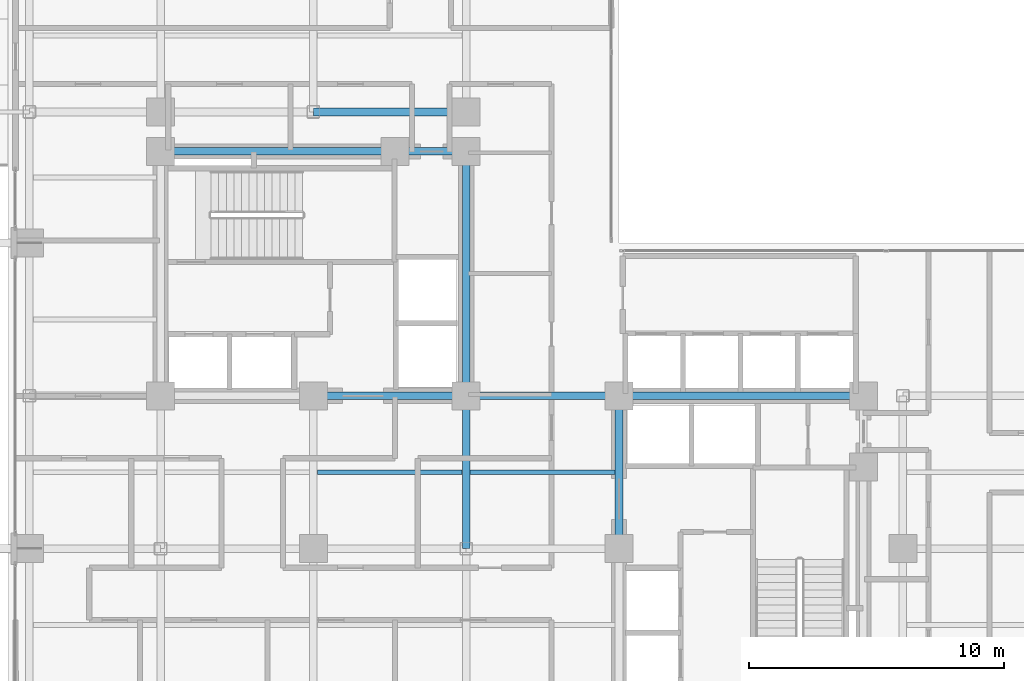
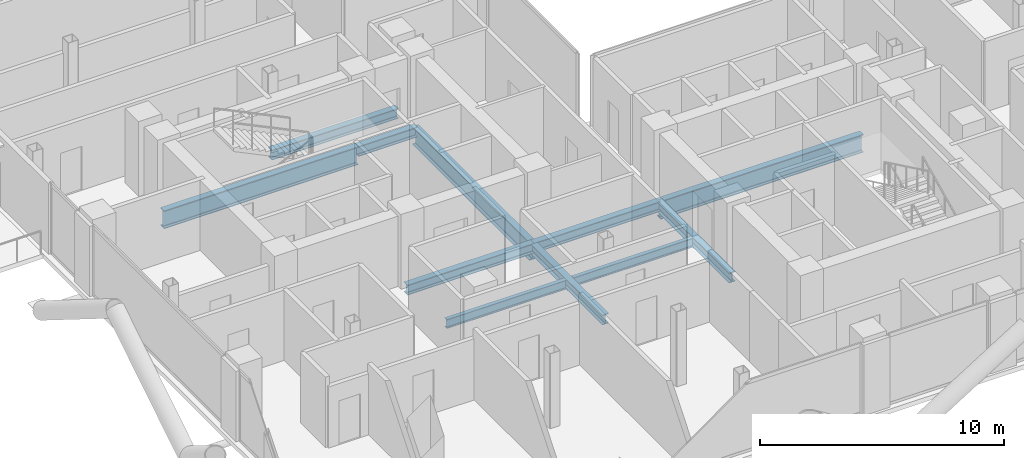
# One storey, part 8 of 28: 11 beams.
"""IFC4 building model written with IfcOpenShell, lengths in metres."""

import ifcopenshell
import ifcopenshell.guid

model = None  # the IFC model being written
_history = None  # IfcOwnerHistory: only IFC2X3 demands one
_inside = {}  # id of a spatial element -> (the spatial element, [elements in it])
_under = {}  # id of a project, library or spatial element -> (it, [spatial elements below it])
_declared = {}  # id of a project -> (the project, [libraries it declares])
_typed = {}  # id of a type object -> (the type object, [elements of that type])
_made_of = {}  # id of a material, layer set ... -> (it, [elements and type objects made of it])


def new_model(schema):
    """Start an empty IFC model of exactly this schema.

    Asked for "IFC4X3", IfcOpenShell would pick the latest addendum, in which some entities
    have other attributes; the version numbers below select the first issue.
    IFC2X3 requires an IfcOwnerHistory on every rooted entity: one is made here for all.
    """
    global model, _history
    if schema == "IFC4X3":
        model = ifcopenshell.file(schema_version=(4, 3, 0, 0))
    else:
        model = ifcopenshell.file(schema=schema)
    _inside.clear()
    _under.clear()
    _declared.clear()
    _typed.clear()
    _made_of.clear()
    _history = None
    if model.schema == "IFC2X3":
        org = make("IfcOrganization", Name="unknown")
        user = make(
            "IfcPersonAndOrganization",
            ThePerson=make("IfcPerson", FamilyName="unknown"),
            TheOrganization=org,
        )
        app = make(
            "IfcApplication",
            ApplicationDeveloper=org,
            Version="unknown",
            ApplicationFullName="unknown",
            ApplicationIdentifier="unknown",
        )
        _history = make(
            "IfcOwnerHistory",
            OwningUser=user,
            OwningApplication=app,
            ChangeAction="ADDED",
            CreationDate=0,
        )
    return model


def make(cls, **values):
    """One entity of the class cls with the attributes given. An attribute that is None is left unset."""
    return model.create_entity(
        cls, **{name: value for name, value in values.items() if value is not None}
    )


def rooted(cls, **values):
    """An entity with a GlobalId (a new one), such as an element, a storey or a relation."""
    return make(cls, GlobalId=ifcopenshell.guid.new(), OwnerHistory=_history, **values)


def si_unit(unit_type, name, prefix=None):
    """IfcSIUnit, for example si_unit("LENGTHUNIT", "METRE", prefix="MILLI")."""
    return make("IfcSIUnit", UnitType=unit_type, Prefix=prefix, Name=name)


def assignment(units):
    """IfcUnitAssignment: the units of a project."""
    return None if units is None else make("IfcUnitAssignment", Units=units)


def point(xyz):
    """IfcCartesianPoint."""
    return None if xyz is None else make("IfcCartesianPoint", Coordinates=xyz)


def direction(xyz):
    """IfcDirection."""
    return None if xyz is None else make("IfcDirection", DirectionRatios=xyz)


def frame(location, z_axis=None, x_axis=None):
    """IfcAxis2Placement3D, a coordinate frame: its origin and axes. An axis left out is left unset."""
    return make(
        "IfcAxis2Placement3D",
        Location=point(location),
        Axis=direction(z_axis),
        RefDirection=direction(x_axis),
    )


def frame_2d(location, x_axis=None):
    """IfcAxis2Placement2D, a coordinate frame in the plane: its origin and x axis."""
    return make(
        "IfcAxis2Placement2D", Location=point(location), RefDirection=direction(x_axis)
    )


def origin():
    """The frame at (0, 0, 0) with its axes left unset."""
    return frame((0.0, 0.0, 0.0))


def origin_2d():
    """The frame at (0, 0) in the plane with its x axis left unset."""
    return frame_2d((0.0, 0.0))


def place(relative_to, where):
    """IfcLocalPlacement: puts the frame where relative to a parent placement (None: the world)."""
    return make(
        "IfcLocalPlacement", PlacementRelTo=relative_to, RelativePlacement=where
    )


def context(
    kind, dimensions, precision=None, world=None, true_north=None, identifier=None
):
    """IfcGeometricRepresentationContext, for example the 3D "Model" context."""
    return make(
        "IfcGeometricRepresentationContext",
        ContextIdentifier=identifier,
        ContextType=kind,
        CoordinateSpaceDimension=dimensions,
        Precision=precision,
        WorldCoordinateSystem=world,
        TrueNorth=true_north,
    )


def subcontext(parent, identifier, kind, view, scale=None):
    """IfcGeometricRepresentationSubContext, for example "Body" below "Model"."""
    return make(
        "IfcGeometricRepresentationSubContext",
        ContextIdentifier=identifier,
        ContextType=kind,
        ParentContext=parent,
        TargetScale=scale,
        TargetView=view,
    )


def project(units=None, contexts=None):
    """IfcProject with its units and contexts."""
    return rooted(
        "IfcProject",
        Name="project",
        RepresentationContexts=contexts,
        UnitsInContext=assignment(units),
    )


def spatial(cls, under=None, at=None, **own):
    """A site, building, storey or space (cls), placed at a placement, below another one or the project."""
    s = rooted(cls, ObjectPlacement=at, **own)
    if under is not None:
        _under.setdefault(under.id(), (under, []))[1].append(s)
    return s


def profile(cls, at=None, kind="AREA", **sizes):
    """A parametric profile (cls). Its sizes go by their IFC names, for example OverallWidth=200.0."""
    return make(cls, ProfileType=kind, Position=at, **sizes)


def i_section(**sizes):
    """IfcIShapeProfileDef."""
    return profile("IfcIShapeProfileDef", **sizes)


def extrude(swept, where, along, depth):
    """IfcExtrudedAreaSolid: the profile swept, set in the frame where, extruded along a direction by depth."""
    return make(
        "IfcExtrudedAreaSolid",
        SweptArea=swept,
        Position=where,
        ExtrudedDirection=direction(along),
        Depth=depth,
    )


def shape(context_of_items, identifier, shape_type, items):
    """IfcShapeRepresentation: the items that make up one representation, for example the "Body"."""
    return make(
        "IfcShapeRepresentation",
        ContextOfItems=context_of_items,
        RepresentationIdentifier=identifier,
        RepresentationType=shape_type,
        Items=items,
    )


def material(Name=None, Category=None):
    """IfcMaterial."""
    return make("IfcMaterial", Name=Name, Category=Category)


def material_profile(
    of_material, cross_section, Name=None, Category=None, Priority=None
):
    """IfcMaterialProfile: a cross section and its material."""
    return make(
        "IfcMaterialProfile",
        Name=Name,
        Material=of_material,
        Profile=cross_section,
        Priority=Priority,
        Category=Category,
    )


def profile_set(profiles, Name=None, composite=None):
    """IfcMaterialProfileSet."""
    return make(
        "IfcMaterialProfileSet",
        Name=Name,
        MaterialProfiles=profiles,
        CompositeProfile=composite,
    )


def made_of(thing, what):
    """Note that an element or type object is made of a material, layer set ...; save() writes the relation."""
    if what is not None:
        _made_of.setdefault(what.id(), (what, []))[1].append(thing)
    return thing


def type_object(cls, material=None, **own):
    """A type object (cls), such as IfcWallType, which elements share."""
    return made_of(rooted(cls, **own), material)


def element(
    cls,
    number,
    at=None,
    inside=None,
    cuts=None,
    type_object=None,
    material=None,
    context=None,
    identifier="Body",
    shape_type=None,
    held_by="IfcProductDefinitionShape",
    body=None,
    shapes=None,
    **own,
):
    """One element of the class cls, such as IfcWall. Its Tag is "e" and its number.

    at: its placement. inside: the storey or other place that contains it. cuts: it is an
    opening in that element (IfcRelVoidsElement). A single representation is given by context,
    identifier, shape_type and body (its items); several are given by shapes. held_by: the class
    of the entity that holds the representations. save() writes the other relations.
    """
    e = rooted(cls, Tag="e%d" % number, ObjectPlacement=at, **own)
    if body is not None:
        shapes = [shape(context, identifier, shape_type, body)]
    if shapes is not None:
        e.Representation = make(held_by, Representations=shapes)
    if inside is not None:
        _inside.setdefault(inside.id(), (inside, []))[1].append(e)
    if cuts is not None:
        rooted(
            "IfcRelVoidsElement", RelatingBuildingElement=cuts, RelatedOpeningElement=e
        )
    if type_object is not None:
        _typed.setdefault(type_object.id(), (type_object, []))[1].append(e)
    return made_of(e, material)


def aggregate(whole, parts):
    """IfcRelAggregates: a whole, such as a stair, and the parts it consists of."""
    return rooted("IfcRelAggregates", RelatingObject=whole, RelatedObjects=parts)


def save(model, path):
    """Write the relations noted so far, then the file.

    IfcRelAggregates (storeys below a building ...), IfcRelContainedInSpatialStructure (elements
    in a storey), IfcRelDefinesByType, IfcRelAssociatesMaterial and IfcRelDeclares: one each for
    every whole, place, type object, material and project.
    """
    for whole, parts in _under.values():
        aggregate(whole, parts)
    for where, things in _inside.values():
        rooted(
            "IfcRelContainedInSpatialStructure",
            RelatedElements=things,
            RelatingStructure=where,
        )
    for kind, things in _typed.values():
        rooted("IfcRelDefinesByType", RelatedObjects=things, RelatingType=kind)
    for what, things in _made_of.values():
        rooted("IfcRelAssociatesMaterial", RelatedObjects=things, RelatingMaterial=what)
    for by, libraries in _declared.values():
        rooted("IfcRelDeclares", RelatingContext=by, RelatedDefinitions=libraries)
    model.write(path)


model = new_model("IFC4")

# Units and contexts
model_context = context("Model", 3, precision=1e-05, world=origin(), true_north=direction((0.0, 1.0)))
body_context = subcontext(model_context, "Body", "Model", "MODEL_VIEW")
ifc_project = project(units=[si_unit("LENGTHUNIT", "METRE"), si_unit("AREAUNIT", "SQUARE_METRE"), si_unit("VOLUMEUNIT", "CUBIC_METRE"), si_unit("PLANEANGLEUNIT", "RADIAN"), si_unit("MASSUNIT", "GRAM", prefix="KILO"), si_unit("THERMODYNAMICTEMPERATUREUNIT", "KELVIN"), si_unit("POWERUNIT", "WATT")], contexts=[model_context])

# Site, building, storey
site_placement = place(None, origin())
site = spatial("IfcSite", under=ifc_project, at=site_placement, CompositionType="ELEMENT")
building_placement = place(site_placement, origin())
building = spatial("IfcBuilding", under=site, at=building_placement, Name="Svarakhadi Broadcast Tower", CompositionType="ELEMENT")
storey_placement = place(building_placement, frame((0.0, 0.0, 123.14990234375)))
storey = spatial("IfcBuildingStorey", under=building, at=storey_placement, Name="L29", CompositionType="ELEMENT", Elevation=123.14990234375)

# Beams
ifc_material_1 = material(Name="Steel S355J2 (IS 2062 E350C)", Category="steel")
ifc_material_profile_1 = material_profile(ifc_material_1, i_section(OverallWidth=0.18994140625, OverallDepth=0.449951171875, WebThickness=0.009521484375, FlangeThickness=0.0146484375, FilletRadius=0.02099609375, at=origin_2d()), Name="NPB 450x190x78")
ifc_profile_set_1 = profile_set([ifc_material_profile_1], Name="Steel S355J2 (IS 2062 E350C)")
beam_type_1 = type_object("IfcBeamType", Name="Beam_NPB450", PredefinedType="BEAM", material=ifc_profile_set_1)
for number, where, z_axis, x_axis, name in (
    (1, (12.159912109375, 15.0, -0.449951171875), (1.0, 0.0, 0.0), (0.0, 1.0, 0.0), "L29 Secondary Composite Beam SB013"),
    (2, (18.159912109375, 15.0, -0.449951171875), (1.0, 0.0, 0.0), (0.0, 1.0, 0.0), "L29 Secondary Composite Beam SB018"),
):
    element("IfcBeam", number, at=place(storey_placement, frame(where, z_axis=z_axis, x_axis=x_axis)), inside=storey, type_object=beam_type_1, Name=name, PredefinedType="BEAM", context=body_context, shape_type="SweptSolid", body=[
        extrude(i_section(OverallWidth=0.18994140625, OverallDepth=0.449951171875, WebThickness=0.009521484375, FlangeThickness=0.0146484375, FilletRadius=0.02099609375, at=origin_2d()), origin(), (0.0, 0.0, 1.0), 5.68017578125),
    ])
ifc_material_profile_2 = material_profile(ifc_material_1, i_section(OverallWidth=0.300048828125, OverallDepth=0.5, WebThickness=0.014404296875, FlangeThickness=0.028076171875, FilletRadius=0.027099609375, at=origin_2d()), Name="WPB 500x300x187")
ifc_profile_set_2 = profile_set([ifc_material_profile_2], Name="Steel S355J2 (IS 2062 E350C)")
beam_type_2 = type_object("IfcBeamType", Name="Girder_WPB500", PredefinedType="USERDEFINED", material=ifc_profile_set_2)
for number, where, z_axis, x_axis, name in (
    (3, (12.0, 18.0, -0.474853515625), (1.0, 0.0, 0.0), (0.0, 1.0, 0.0), "L29 Primary E-W Girder G025"),
    (4, (18.0, 18.0, -0.474853515625), (1.0, 0.0, 0.0), (0.0, 1.0, 0.0), "L29 Primary E-W Girder G026"),
):
    element("IfcBeam", number, at=place(storey_placement, frame(where, z_axis=z_axis, x_axis=x_axis)), inside=storey, type_object=beam_type_2, Name=name, ObjectType="GIRDER", PredefinedType="USERDEFINED", context=body_context, shape_type="SweptSolid", body=[
        extrude(i_section(OverallWidth=0.300048828125, OverallDepth=0.5, WebThickness=0.014404296875, FlangeThickness=0.028076171875, FilletRadius=0.027099609375, at=origin_2d()), origin(), (0.0, 0.0, 1.0), 6.0),
    ])
beam_1_placement = place(storey_placement, frame((15.199951171875, 27.60009765625, -0.474853515625), z_axis=(1.0, 0.0, 0.0), x_axis=(0.0, 1.0, 0.0)))
element("IfcBeam", 5, at=beam_1_placement, inside=storey, type_object=beam_type_2, Name="L29 Primary E-W Girder G031", ObjectType="GIRDER", PredefinedType="USERDEFINED", context=body_context, shape_type="SweptSolid", body=[
    extrude(i_section(OverallWidth=0.300048828125, OverallDepth=0.5, WebThickness=0.014404296875, FlangeThickness=0.028076171875, FilletRadius=0.027099609375, at=origin_2d()), origin(), (0.0, 0.0, 1.0), 2.800048828125),
])
for number, where, z_axis, x_axis, name in (
    (6, (12.0, 29.14990234375, -0.474853515625), (1.0, 0.0, 0.0), (0.0, 1.0, 0.0), "L29 Primary E-W Girder G034"),
    (7, (18.0, 12.0, -0.474853515625), (0.0, 1.0, 0.0), (-1.0, 0.0, 0.0), "L29 Primary N-S Girder G058"),
    (8, (24.0, 12.0, -0.474853515625), (0.0, 1.0, 0.0), (-1.0, 0.0, 0.0), "L29 Primary N-S Girder G064"),
):
    element("IfcBeam", number, at=place(storey_placement, frame(where, z_axis=z_axis, x_axis=x_axis)), inside=storey, type_object=beam_type_2, Name=name, ObjectType="GIRDER", PredefinedType="USERDEFINED", context=body_context, shape_type="SweptSolid", body=[
        extrude(i_section(OverallWidth=0.300048828125, OverallDepth=0.5, WebThickness=0.014404296875, FlangeThickness=0.028076171875, FilletRadius=0.027099609375, at=origin_2d()), origin(), (0.0, 0.0, 1.0), 6.0),
    ])
ifc_material_2 = material(Name="Steel S460ML (IS 2062 E450BR)", Category="steel")
ifc_material_profile_3 = material_profile(ifc_material_2, i_section(OverallWidth=0.300048828125, OverallDepth=0.89990234375, WebThickness=0.0185546875, FlangeThickness=0.034912109375, FilletRadius=0.030029296875, at=origin_2d()), Name="WPB 900x300x291")
ifc_profile_set_3 = profile_set([ifc_material_profile_3], Name="Steel S460ML (IS 2062 E450BR)")
beam_type_3 = type_object("IfcBeamType", Name="Girder_WPB900", PredefinedType="USERDEFINED", material=ifc_profile_set_3)
beam_2_placement = place(storey_placement, frame((24.0, 18.0, -0.6748046875), z_axis=(1.0, 0.0, 0.0), x_axis=(0.0, 1.0, 0.0)))
element("IfcBeam", 9, at=beam_2_placement, inside=storey, type_object=beam_type_3, Name="L29 Primary E-W Girder G027", ObjectType="GIRDER", PredefinedType="USERDEFINED", context=body_context, shape_type="SweptSolid", body=[
    extrude(i_section(OverallWidth=0.300048828125, OverallDepth=0.89990234375, WebThickness=0.0185546875, FlangeThickness=0.034912109375, FilletRadius=0.030029296875, at=origin_2d()), origin(), (0.0, 0.0, 1.0), 9.60009765625),
])
beam_3_placement = place(storey_placement, frame((6.0, 27.60009765625, -0.6748046875), z_axis=(1.0, 0.0, 0.0), x_axis=(0.0, 1.0, 0.0)))
element("IfcBeam", 10, at=beam_3_placement, inside=storey, type_object=beam_type_3, Name="L29 Primary E-W Girder G030", ObjectType="GIRDER", PredefinedType="USERDEFINED", context=body_context, shape_type="SweptSolid", body=[
    extrude(i_section(OverallWidth=0.300048828125, OverallDepth=0.89990234375, WebThickness=0.0185546875, FlangeThickness=0.034912109375, FilletRadius=0.030029296875, at=origin_2d()), origin(), (0.0, 0.0, 1.0), 9.199951171875),
])
beam_4_placement = place(storey_placement, frame((18.0, 18.0, -0.6748046875), z_axis=(0.0, 1.0, 0.0), x_axis=(-1.0, 0.0, 0.0)))
element("IfcBeam", 11, at=beam_4_placement, inside=storey, type_object=beam_type_3, Name="L29 Primary N-S Girder G059", ObjectType="GIRDER", PredefinedType="USERDEFINED", context=body_context, shape_type="SweptSolid", body=[
    extrude(i_section(OverallWidth=0.300048828125, OverallDepth=0.89990234375, WebThickness=0.0185546875, FlangeThickness=0.034912109375, FilletRadius=0.030029296875, at=origin_2d()), origin(), (0.0, 0.0, 1.0), 9.60009765625),
])

save(model, "model.ifc")
